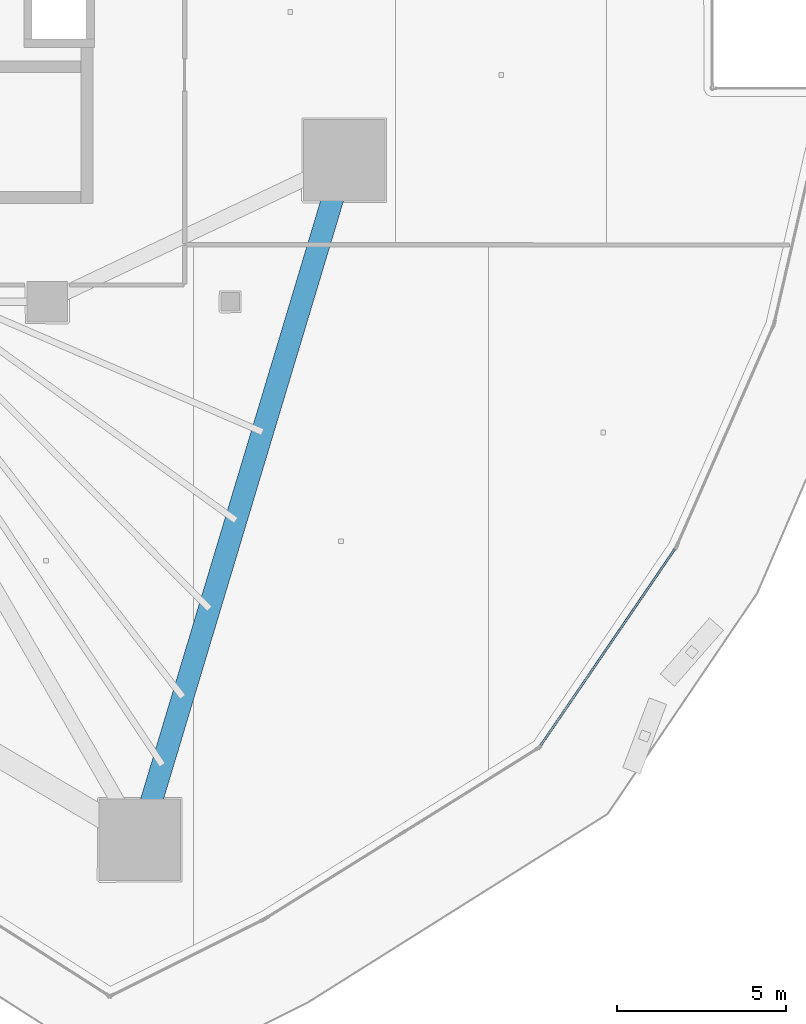
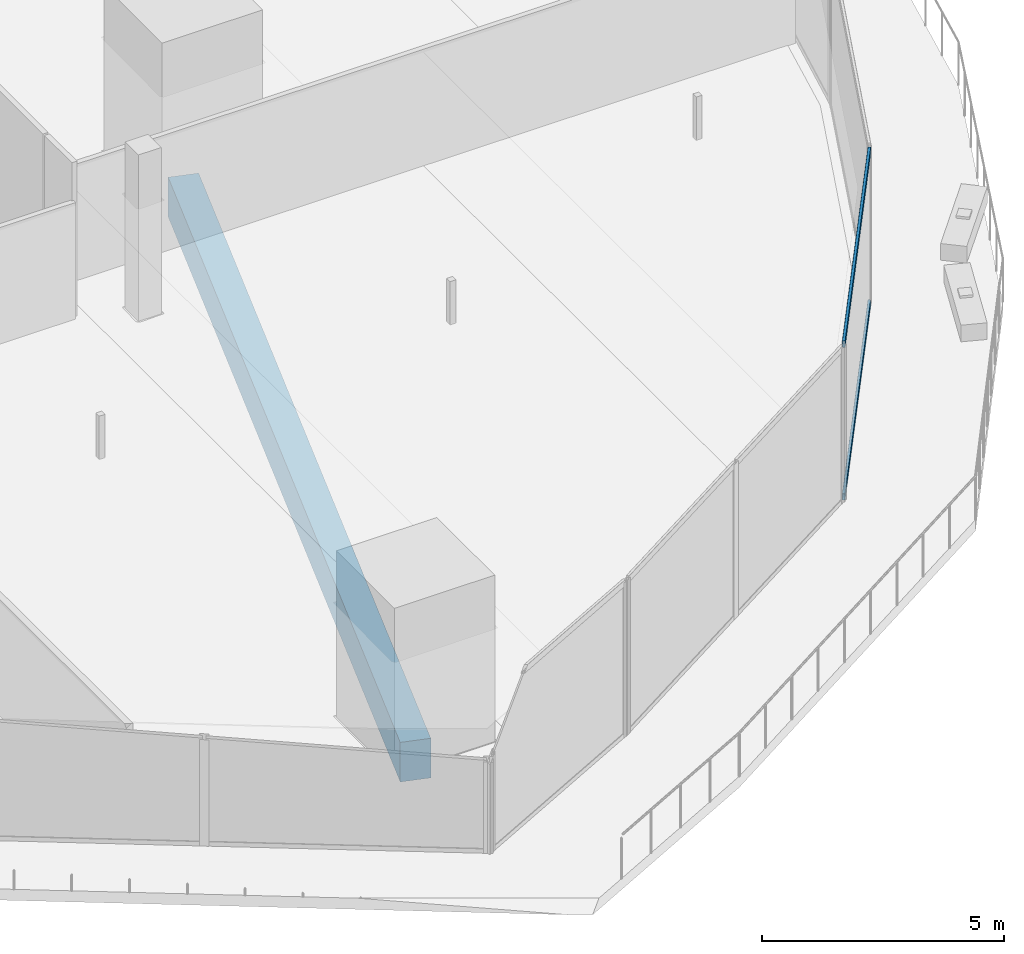
# One storey, part 10 of 47: 2 members, 1 beam, 1 element without a shape of its own.
"""IFC4 building model written with IfcOpenShell, lengths in metres."""

from ifc_helpers import new_model, si_unit, direction, frame, origin, origin_2d, place, context, subcontext, project, spatial, rectangle, hollow_rectangle, extrude, material, layer, layer_set, material_profile, profile_set, type_object, element, aggregate, save


model = new_model("IFC4")

# Units and contexts
model_context = context("Model", 3, precision=1e-05, world=origin(), true_north=direction((0.0, 1.0)))
body_context = subcontext(model_context, "Body", "Model", "MODEL_VIEW")
ifc_project = project(units=[si_unit("LENGTHUNIT", "METRE"), si_unit("AREAUNIT", "SQUARE_METRE"), si_unit("VOLUMEUNIT", "CUBIC_METRE"), si_unit("PLANEANGLEUNIT", "RADIAN"), si_unit("MASSUNIT", "GRAM", prefix="KILO")], contexts=[model_context])

# Site, building, storey
site_placement = place(None, origin())
site = spatial("IfcSite", under=ifc_project, at=site_placement, CompositionType="ELEMENT")
building_placement = place(site_placement, origin())
building = spatial("IfcBuilding", under=site, at=building_placement, Name="Qorvath Tower", CompositionType="ELEMENT")
storey_placement = place(building_placement, frame((0.0, 0.0, 82.800048828125)))
storey = spatial("IfcBuildingStorey", under=building, at=storey_placement, Name="L18", CompositionType="ELEMENT", Elevation=82.800048828125)

# Beam
ifc_material_1 = material(Name="Concrete C50/60", Category="concrete")
ifc_material_profile_1 = material_profile(ifc_material_1, rectangle(XDim=0.64990234375, YDim=1.0, at=origin_2d()), Name="RCB 1000x650")
ifc_profile_set_1 = profile_set([ifc_material_profile_1], Name="Concrete C50/60")
beam_type = type_object("IfcBeamType", Name="BM-RCB1", PredefinedType="SPANDREL", material=ifc_profile_set_1)
beam_placement = place(storey_placement, frame((-14.46435546875, -27.330810546875, -0.780029296875), z_axis=(0.288118908799, 0.957594639914, 0.0), x_axis=(-0.957594639914, 0.288118908799, 0.0)))
element("IfcBeam", 1, at=beam_placement, inside=storey, type_object=beam_type, Name="Perimeter Loggia Frame Beam MC3-MC4 L18", PredefinedType="SPANDREL", context=body_context, shape_type="SweptSolid", body=[
    extrude(rectangle(XDim=0.64990234375, YDim=1.0, at=origin_2d()), origin(), (0.0, 0.0, 1.0), 20.942626953125),
])

# Curtain wall, members
ifc_material_2 = material(Name="Anodised aluminium and triple low-E glass", Category="aluminium")
ifc_layer = layer(ifc_material_2, 0.179931640625)
ifc_layer_set = layer_set([ifc_layer], Name="CW-SYS-5")
curtain_wall_type = type_object("IfcCurtainWallType", Name="CW-SYS-5", PredefinedType="NOTDEFINED", material=ifc_layer_set)
curtain_wall_placement = place(storey_placement, origin())
curtain_wall = element("IfcCurtainWall", 2, at=curtain_wall_placement, inside=storey, type_object=curtain_wall_type, Name="Curtain Wall CW-5 CW-T-L18-9.1", PredefinedType="NOTDEFINED")
ifc_material_3 = material(Name="Anodised aluminium 6063-T6", Category="aluminium")
ifc_material_profile_2 = material_profile(ifc_material_3, hollow_rectangle(XDim=0.06494140625, YDim=0.159912109375, WallThickness=0.00341796875, InnerFilletRadius=0.00341796875, OuterFilletRadius=0.007080078125, at=origin_2d()), Name="CWT 160x65")
ifc_profile_set_2 = profile_set([ifc_material_profile_2], Name="Anodised aluminium 6063-T6")
member_type = type_object("IfcMemberType", Name="CWT-160", PredefinedType="USERDEFINED", material=ifc_profile_set_2)
member_1_placement = place(storey_placement, frame((-2.626953125, -24.5419921875, 0.032470703125), z_axis=(0.564060033788, 0.825733781726, 0.0), x_axis=(-0.825733781726, 0.564060033788, 0.0)))
member_1 = element("IfcMember", 3, at=member_1_placement, type_object=member_type, Name="CW-5 transom 1.1", ObjectType="TRANSOM", PredefinedType="USERDEFINED", context=body_context, shape_type="SweptSolid", body=[
    extrude(hollow_rectangle(XDim=0.06494140625, YDim=0.159912109375, WallThickness=0.00341796875, InnerFilletRadius=0.00341796875, OuterFilletRadius=0.007080078125, at=origin_2d()), origin(), (0.0, 0.0, 1.0), 7.01611328125),
])
member_2_placement = place(storey_placement, frame((-2.626953125, -24.5419921875, 3.887451171875), z_axis=(0.564060033788, 0.825733781726, 0.0), x_axis=(-0.825733781726, 0.564060033788, 0.0)))
member_2 = element("IfcMember", 4, at=member_2_placement, type_object=member_type, Name="CW-5 transom 1.2", ObjectType="TRANSOM", PredefinedType="USERDEFINED", context=body_context, shape_type="SweptSolid", body=[
    extrude(hollow_rectangle(XDim=0.06494140625, YDim=0.159912109375, WallThickness=0.00341796875, InnerFilletRadius=0.00341796875, OuterFilletRadius=0.007080078125, at=origin_2d()), origin(), (0.0, 0.0, 1.0), 7.01611328125),
])
aggregate(curtain_wall, [member_1, member_2])

save(model, "model.ifc")
